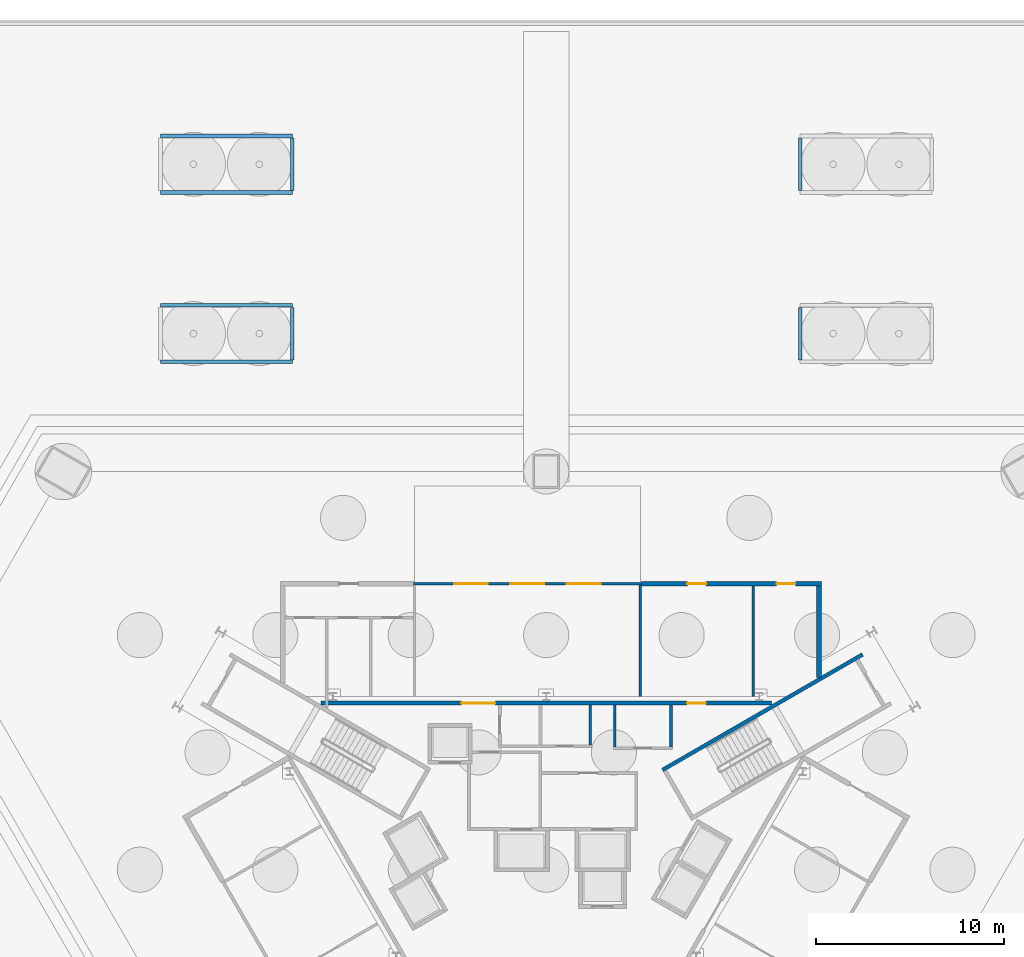
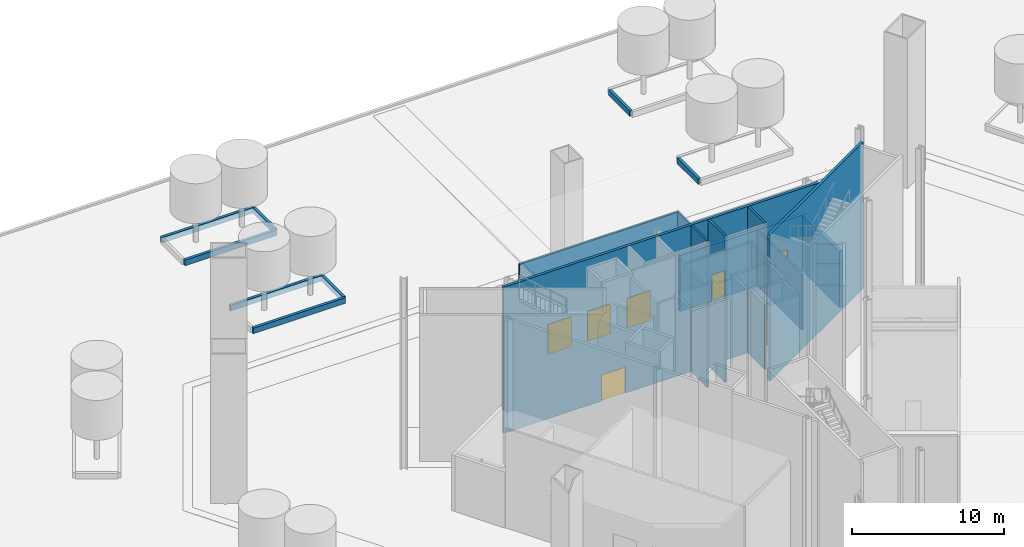
# One storey, part 10 of 22: 18 walls, 7 doors, 7 openings.
"""IFC4 building model written with IfcOpenShell, lengths in metres."""

import ifcopenshell
import ifcopenshell.guid

model = None  # the IFC model being written
_history = None  # IfcOwnerHistory: only IFC2X3 demands one
_inside = {}  # id of a spatial element -> (the spatial element, [elements in it])
_under = {}  # id of a project, library or spatial element -> (it, [spatial elements below it])
_declared = {}  # id of a project -> (the project, [libraries it declares])
_typed = {}  # id of a type object -> (the type object, [elements of that type])
_made_of = {}  # id of a material, layer set ... -> (it, [elements and type objects made of it])


def new_model(schema):
    """Start an empty IFC model of exactly this schema.

    Asked for "IFC4X3", IfcOpenShell would pick the latest addendum, in which some entities
    have other attributes; the version numbers below select the first issue.
    IFC2X3 requires an IfcOwnerHistory on every rooted entity: one is made here for all.
    """
    global model, _history
    if schema == "IFC4X3":
        model = ifcopenshell.file(schema_version=(4, 3, 0, 0))
    else:
        model = ifcopenshell.file(schema=schema)
    _inside.clear()
    _under.clear()
    _declared.clear()
    _typed.clear()
    _made_of.clear()
    _history = None
    if model.schema == "IFC2X3":
        org = make("IfcOrganization", Name="unknown")
        user = make(
            "IfcPersonAndOrganization",
            ThePerson=make("IfcPerson", FamilyName="unknown"),
            TheOrganization=org,
        )
        app = make(
            "IfcApplication",
            ApplicationDeveloper=org,
            Version="unknown",
            ApplicationFullName="unknown",
            ApplicationIdentifier="unknown",
        )
        _history = make(
            "IfcOwnerHistory",
            OwningUser=user,
            OwningApplication=app,
            ChangeAction="ADDED",
            CreationDate=0,
        )
    return model


def make(cls, **values):
    """One entity of the class cls with the attributes given. An attribute that is None is left unset."""
    return model.create_entity(
        cls, **{name: value for name, value in values.items() if value is not None}
    )


def rooted(cls, **values):
    """An entity with a GlobalId (a new one), such as an element, a storey or a relation."""
    return make(cls, GlobalId=ifcopenshell.guid.new(), OwnerHistory=_history, **values)


def si_unit(unit_type, name, prefix=None):
    """IfcSIUnit, for example si_unit("LENGTHUNIT", "METRE", prefix="MILLI")."""
    return make("IfcSIUnit", UnitType=unit_type, Prefix=prefix, Name=name)


def assignment(units):
    """IfcUnitAssignment: the units of a project."""
    return None if units is None else make("IfcUnitAssignment", Units=units)


def point(xyz):
    """IfcCartesianPoint."""
    return None if xyz is None else make("IfcCartesianPoint", Coordinates=xyz)


def direction(xyz):
    """IfcDirection."""
    return None if xyz is None else make("IfcDirection", DirectionRatios=xyz)


def frame(location, z_axis=None, x_axis=None):
    """IfcAxis2Placement3D, a coordinate frame: its origin and axes. An axis left out is left unset."""
    return make(
        "IfcAxis2Placement3D",
        Location=point(location),
        Axis=direction(z_axis),
        RefDirection=direction(x_axis),
    )


def frame_2d(location, x_axis=None):
    """IfcAxis2Placement2D, a coordinate frame in the plane: its origin and x axis."""
    return make(
        "IfcAxis2Placement2D", Location=point(location), RefDirection=direction(x_axis)
    )


def origin():
    """The frame at (0, 0, 0) with its axes left unset."""
    return frame((0.0, 0.0, 0.0))


def place(relative_to, where):
    """IfcLocalPlacement: puts the frame where relative to a parent placement (None: the world)."""
    return make(
        "IfcLocalPlacement", PlacementRelTo=relative_to, RelativePlacement=where
    )


def context(
    kind, dimensions, precision=None, world=None, true_north=None, identifier=None
):
    """IfcGeometricRepresentationContext, for example the 3D "Model" context."""
    return make(
        "IfcGeometricRepresentationContext",
        ContextIdentifier=identifier,
        ContextType=kind,
        CoordinateSpaceDimension=dimensions,
        Precision=precision,
        WorldCoordinateSystem=world,
        TrueNorth=true_north,
    )


def subcontext(parent, identifier, kind, view, scale=None):
    """IfcGeometricRepresentationSubContext, for example "Body" below "Model"."""
    return make(
        "IfcGeometricRepresentationSubContext",
        ContextIdentifier=identifier,
        ContextType=kind,
        ParentContext=parent,
        TargetScale=scale,
        TargetView=view,
    )


def project(units=None, contexts=None):
    """IfcProject with its units and contexts."""
    return rooted(
        "IfcProject",
        Name="project",
        RepresentationContexts=contexts,
        UnitsInContext=assignment(units),
    )


def spatial(cls, under=None, at=None, **own):
    """A site, building, storey or space (cls), placed at a placement, below another one or the project."""
    s = rooted(cls, ObjectPlacement=at, **own)
    if under is not None:
        _under.setdefault(under.id(), (under, []))[1].append(s)
    return s


def profile(cls, at=None, kind="AREA", **sizes):
    """A parametric profile (cls). Its sizes go by their IFC names, for example OverallWidth=200.0."""
    return make(cls, ProfileType=kind, Position=at, **sizes)


def rectangle(**sizes):
    """IfcRectangleProfileDef."""
    return profile("IfcRectangleProfileDef", **sizes)


def extrude(swept, where, along, depth):
    """IfcExtrudedAreaSolid: the profile swept, set in the frame where, extruded along a direction by depth."""
    return make(
        "IfcExtrudedAreaSolid",
        SweptArea=swept,
        Position=where,
        ExtrudedDirection=direction(along),
        Depth=depth,
    )


def shape(context_of_items, identifier, shape_type, items):
    """IfcShapeRepresentation: the items that make up one representation, for example the "Body"."""
    return make(
        "IfcShapeRepresentation",
        ContextOfItems=context_of_items,
        RepresentationIdentifier=identifier,
        RepresentationType=shape_type,
        Items=items,
    )


def material(Name=None, Category=None):
    """IfcMaterial."""
    return make("IfcMaterial", Name=Name, Category=Category)


def layer(
    of_material, thickness, ventilated=None, Name=None, Category=None, Priority=None
):
    """IfcMaterialLayer: one layer of a wall or slab, of a material (None: an air gap)."""
    return make(
        "IfcMaterialLayer",
        Material=of_material,
        LayerThickness=thickness,
        IsVentilated=ventilated,
        Name=Name,
        Category=Category,
        Priority=Priority,
    )


def layer_set(layers, Name=None):
    """IfcMaterialLayerSet."""
    return make("IfcMaterialLayerSet", MaterialLayers=layers, LayerSetName=Name)


def made_of(thing, what):
    """Note that an element or type object is made of a material, layer set ...; save() writes the relation."""
    if what is not None:
        _made_of.setdefault(what.id(), (what, []))[1].append(thing)
    return thing


def type_object(cls, material=None, **own):
    """A type object (cls), such as IfcWallType, which elements share."""
    return made_of(rooted(cls, **own), material)


def element(
    cls,
    number,
    at=None,
    inside=None,
    cuts=None,
    type_object=None,
    material=None,
    context=None,
    identifier="Body",
    shape_type=None,
    held_by="IfcProductDefinitionShape",
    body=None,
    shapes=None,
    **own,
):
    """One element of the class cls, such as IfcWall. Its Tag is "e" and its number.

    at: its placement. inside: the storey or other place that contains it. cuts: it is an
    opening in that element (IfcRelVoidsElement). A single representation is given by context,
    identifier, shape_type and body (its items); several are given by shapes. held_by: the class
    of the entity that holds the representations. save() writes the other relations.
    """
    e = rooted(cls, Tag="e%d" % number, ObjectPlacement=at, **own)
    if body is not None:
        shapes = [shape(context, identifier, shape_type, body)]
    if shapes is not None:
        e.Representation = make(held_by, Representations=shapes)
    if inside is not None:
        _inside.setdefault(inside.id(), (inside, []))[1].append(e)
    if cuts is not None:
        rooted(
            "IfcRelVoidsElement", RelatingBuildingElement=cuts, RelatedOpeningElement=e
        )
    if type_object is not None:
        _typed.setdefault(type_object.id(), (type_object, []))[1].append(e)
    return made_of(e, material)


def fill(opening, filler):
    """IfcRelFillsElement: the door or window that sits in an opening."""
    return rooted(
        "IfcRelFillsElement",
        RelatingOpeningElement=opening,
        RelatedBuildingElement=filler,
    )


def aggregate(whole, parts):
    """IfcRelAggregates: a whole, such as a stair, and the parts it consists of."""
    return rooted("IfcRelAggregates", RelatingObject=whole, RelatedObjects=parts)


def save(model, path):
    """Write the relations noted so far, then the file.

    IfcRelAggregates (storeys below a building ...), IfcRelContainedInSpatialStructure (elements
    in a storey), IfcRelDefinesByType, IfcRelAssociatesMaterial and IfcRelDeclares: one each for
    every whole, place, type object, material and project.
    """
    for whole, parts in _under.values():
        aggregate(whole, parts)
    for where, things in _inside.values():
        rooted(
            "IfcRelContainedInSpatialStructure",
            RelatedElements=things,
            RelatingStructure=where,
        )
    for kind, things in _typed.values():
        rooted("IfcRelDefinesByType", RelatedObjects=things, RelatingType=kind)
    for what, things in _made_of.values():
        rooted("IfcRelAssociatesMaterial", RelatedObjects=things, RelatingMaterial=what)
    for by, libraries in _declared.values():
        rooted("IfcRelDeclares", RelatingContext=by, RelatedDefinitions=libraries)
    model.write(path)


model = new_model("IFC4")

# Units and contexts
model_context = context("Model", 3, precision=1e-05, world=origin(), true_north=direction((0.0, 1.0)))
body_context = subcontext(model_context, "Body", "Model", "MODEL_VIEW")
ifc_project = project(units=[si_unit("LENGTHUNIT", "METRE"), si_unit("AREAUNIT", "SQUARE_METRE"), si_unit("VOLUMEUNIT", "CUBIC_METRE"), si_unit("PLANEANGLEUNIT", "RADIAN"), si_unit("MASSUNIT", "GRAM", prefix="KILO")], contexts=[model_context])

# Site, building, storey
site_placement = place(None, origin())
site = spatial("IfcSite", under=ifc_project, at=site_placement, CompositionType="ELEMENT")
building_placement = place(site_placement, origin())
building = spatial("IfcBuilding", under=site, at=building_placement, Name="Verrane Prism Tower", CompositionType="ELEMENT")
storey_placement = place(building_placement, origin())
storey = spatial("IfcBuildingStorey", under=building, at=storey_placement, Name="L00", CompositionType="ELEMENT", Elevation=0.0)

# Walls
ifc_material_1 = material(Name="Concrete C25/30", Category="concrete")
ifc_layer_1 = layer(ifc_material_1, 0.125)
ifc_layer_set_1 = layer_set([ifc_layer_1], Name="CB-125 concrete block demising wall 3 h")
wall_type_1 = type_object("IfcWallType", Name="CB-125 concrete block demising wall 3 h", PredefinedType="SOLIDWALL", material=ifc_layer_set_1)
wall_1_placement = place(storey_placement, frame((5.0, 9.199951171875, 0.0), z_axis=(0.0, 0.0, 1.0), x_axis=(0.0, 1.0, 0.0)))
element("IfcWall", 1, at=wall_1_placement, inside=storey, type_object=wall_type_1, Name="Demising wall 030", PredefinedType="SOLIDWALL", context=body_context, shape_type="SweptSolid", body=[
    extrude(rectangle(XDim=5.925048828125, YDim=0.125, at=frame_2d((2.96240234375, 0.0))), origin(), (0.0, 0.0, 1.0), 8.0),
])
wall_2_placement = place(storey_placement, frame((11.0, 9.199951171875, 0.0), z_axis=(0.0, 0.0, 1.0), x_axis=(0.0, 1.0, 0.0)))
element("IfcWall", 2, at=wall_2_placement, inside=storey, type_object=wall_type_1, Name="Demising wall 039", PredefinedType="SOLIDWALL", context=body_context, shape_type="SweptSolid", body=[
    extrude(rectangle(XDim=5.875, YDim=0.125, at=frame_2d((2.9375, 0.0))), origin(), (0.0, 0.0, 1.0), 4.5),
])

# Wall, openings, doors
ifc_material_2 = material(Name="Gypsum board partition", Category="other")
ifc_layer_2 = layer(ifc_material_2, 0.199951171875)
ifc_layer_set_2 = layer_set([ifc_layer_2], Name="CW-200 core boundary wall 2 h")
wall_type_2 = type_object("IfcWallType", Name="CW-200 core boundary wall 2 h", PredefinedType="PARTITIONING", material=ifc_layer_set_2)
wall_3_placement = place(storey_placement, frame((11.986083984375, 8.860107421875, 0.0), z_axis=(0.0, 0.0, 1.0), x_axis=(-1.0, 0.0, 0.0)))
wall_3 = element("IfcWall", 3, at=wall_3_placement, inside=storey, type_object=wall_type_2, Name="Core boundary wall CW3-002", PredefinedType="PARTITIONING", context=body_context, shape_type="SweptSolid", body=[
    extrude(rectangle(XDim=23.967041015625, YDim=0.199951171875, at=frame_2d((11.9833984375, 0.0))), origin(), (0.0, 0.0, 1.0), 11.75),
])
opening_1_placement = place(wall_3_placement, frame((3.49609375, 0.0, 0.0)))
opening_1 = element("IfcOpeningElement", 4, at=opening_1_placement, cuts=wall_3, Name="Opening D00512", PredefinedType="OPENING", context=body_context, shape_type="SweptSolid", body=[
    extrude(rectangle(XDim=1.0, YDim=2.10009765625, at=frame_2d((0.5, 1.050048828125))), frame((0.0, 0.10986328125, 0.0), z_axis=(0.0, -1.0, 0.0), x_axis=(1.0, 0.0, 0.0)), (0.0, 0.0, 1.0), 0.219970703125),
])
opening_2_placement = place(wall_3_placement, frame((14.696044921875, 0.0, 0.0)))
opening_2 = element("IfcOpeningElement", 5, at=opening_2_placement, cuts=wall_3, Name="Opening D00513", PredefinedType="OPENING", context=body_context, shape_type="SweptSolid", body=[
    extrude(rectangle(XDim=1.800048828125, YDim=2.10009765625, at=frame_2d((0.89990234375, 1.050048828125))), frame((0.0, 0.10986328125, 0.0), z_axis=(0.0, -1.0, 0.0), x_axis=(1.0, 0.0, 0.0)), (0.0, 0.0, 1.0), 0.219970703125),
])
ifc_material_3 = material(Name="Timber veneered door leaf", Category="wood")
door_type_1 = type_object("IfcDoorType", Name="DR-1000x2100 FD60 single leaf firefighting lobby", OperationType="NOTDEFINED", PredefinedType="DOOR", material=ifc_material_3)
door_1_placement = place(opening_1_placement, origin())
door_1 = element("IfcDoor", 6, at=door_1_placement, inside=storey, type_object=door_type_1, Name="Fire command room door D00512", OperationType="SINGLE_SWING_RIGHT", OverallHeight=2.10009765625, OverallWidth=1.0, PredefinedType="DOOR", context=body_context, shape_type="SweptSolid", body=[
    extrude(rectangle(XDim=1.0, YDim=2.10009765625, at=frame_2d((0.5, 1.050048828125))), frame((0.0, 0.02490234375, 0.0), z_axis=(0.0, -1.0, 0.0), x_axis=(1.0, 0.0, 0.0)), (0.0, 0.0, 1.0), 0.050048828125),
])
fill(opening_1, door_1)
ifc_material_4 = material(Name="Timber veneered door leaf", Category="wood")
door_type_2 = type_object("IfcDoorType", Name="DR-1800x2100 FD60 double leaf lift lobby", OperationType="NOTDEFINED", PredefinedType="DOOR", material=ifc_material_4)
door_2_placement = place(opening_2_placement, origin())
door_2 = element("IfcDoor", 7, at=door_2_placement, inside=storey, type_object=door_type_2, Name="Lift lobby door D00513", OperationType="DOUBLE_DOOR_SINGLE_SWING", OverallHeight=2.10009765625, OverallWidth=1.800048828125, PredefinedType="DOOR", context=body_context, shape_type="SweptSolid", body=[
    extrude(rectangle(XDim=1.800048828125, YDim=2.10009765625, at=frame_2d((0.89990234375, 1.050048828125))), frame((0.0, 0.02490234375, 0.0), z_axis=(0.0, -1.0, 0.0), x_axis=(1.0, 0.0, 0.0)), (0.0, 0.0, 1.0), 0.050048828125),
])
fill(opening_2, door_2)

# Wall
ifc_material_5 = material(Name="Concrete C40/50", Category="concrete")
ifc_layer_3 = layer(ifc_material_5, 0.199951171875)
ifc_layer_set_3 = layer_set([ifc_layer_3], Name="CW-200 stair core wall concrete C40/50 3 h")
wall_type_3 = type_object("IfcWallType", Name="CW-200 stair core wall concrete C40/50 3 h", PredefinedType="PARTITIONING", material=ifc_layer_set_3)
wall_4_placement = place(storey_placement, frame((6.17822265625, 5.299072265625, 0.0), z_axis=(0.0, 0.0, 1.0), x_axis=(0.866028655551, 0.499994367733, 0.0)))
element("IfcWall", 8, at=wall_4_placement, inside=storey, type_object=wall_type_3, Name="Stair 1 enclosure wall", PredefinedType="PARTITIONING", context=body_context, shape_type="SweptSolid", body=[
    extrude(rectangle(XDim=12.280029296875, YDim=0.199951171875, at=frame_2d((6.14013671875, 0.0))), origin(), (0.0, 0.0, 1.0), 11.75),
])

# Wall, openings, doors
ifc_material_6 = material(Name="Concrete C30/37", Category="concrete")
ifc_layer_4 = layer(ifc_material_6, 0.25)
ifc_layer_set_4 = layer_set([ifc_layer_4], Name="EW-250 service enclosure wall")
wall_type_4 = type_object("IfcWallType", Name="EW-250 service enclosure wall", PredefinedType="SOLIDWALL", material=ifc_layer_set_4)
wall_5_placement = place(storey_placement, frame((14.625, 15.199951171875, 0.0), z_axis=(0.0, 0.0, 1.0), x_axis=(-1.0, 0.0, 0.0)))
wall_5 = element("IfcWall", 9, at=wall_5_placement, inside=storey, type_object=wall_type_4, Name="Service room wall 031", PredefinedType="SOLIDWALL", context=body_context, shape_type="SweptSolid", body=[
    extrude(rectangle(XDim=9.5625, YDim=0.25, at=frame_2d((4.78125, 0.0))), origin(), (0.0, 0.0, 1.0), 4.5),
])
opening_3_placement = place(wall_5_placement, frame((6.125, 0.0, 0.0)))
opening_3 = element("IfcOpeningElement", 10, at=opening_3_placement, cuts=wall_5, Name="Opening D00008", PredefinedType="OPENING", context=body_context, shape_type="SweptSolid", body=[
    extrude(rectangle(XDim=1.0, YDim=2.10009765625, at=frame_2d((0.5, 1.050048828125))), frame((0.0, 0.135009765625, 0.0), z_axis=(0.0, -1.0, 0.0), x_axis=(1.0, 0.0, 0.0)), (0.0, 0.0, 1.0), 0.27001953125),
])
opening_4_placement = place(wall_5_placement, frame((1.375, 0.0, 0.0)))
opening_4 = element("IfcOpeningElement", 11, at=opening_4_placement, cuts=wall_5, Name="Opening D00009", PredefinedType="OPENING", context=body_context, shape_type="SweptSolid", body=[
    extrude(rectangle(XDim=1.0, YDim=2.10009765625, at=frame_2d((0.5, 1.050048828125))), frame((0.0, 0.135009765625, 0.0), z_axis=(0.0, -1.0, 0.0), x_axis=(1.0, 0.0, 0.0)), (0.0, 0.0, 1.0), 0.27001953125),
])
ifc_material_7 = material(Name="Aluminium and glass door leaf", Category="aluminium")
door_type_3 = type_object("IfcDoorType", Name="DR-1000x2100 single leaf exit", OperationType="NOTDEFINED", PredefinedType="DOOR", material=ifc_material_7)
door_3_placement = place(opening_3_placement, frame((1.0, 0.0, 0.0), z_axis=(0.0, 0.0, 1.0), x_axis=(-1.0, 0.0, 0.0)))
door_3 = element("IfcDoor", 12, at=door_3_placement, inside=storey, type_object=door_type_3, Name="Exit door Fire Command Room", OperationType="SINGLE_SWING_LEFT", OverallHeight=2.10009765625, OverallWidth=1.0, PredefinedType="DOOR", context=body_context, shape_type="SweptSolid", body=[
    extrude(rectangle(XDim=1.0, YDim=2.10009765625, at=frame_2d((0.5, 1.050048828125))), frame((0.0, 0.02490234375, 0.0), z_axis=(0.0, -1.0, 0.0), x_axis=(1.0, 0.0, 0.0)), (0.0, 0.0, 1.0), 0.050048828125),
])
fill(opening_3, door_3)
door_4_placement = place(opening_4_placement, frame((1.0, 0.0, 0.0), z_axis=(0.0, 0.0, 1.0), x_axis=(-1.0, 0.0, 0.0)))
door_4 = element("IfcDoor", 13, at=door_4_placement, inside=storey, type_object=door_type_3, Name="Exit door Security Office", OperationType="SINGLE_SWING_RIGHT", OverallHeight=2.10009765625, OverallWidth=1.0, PredefinedType="DOOR", context=body_context, shape_type="SweptSolid", body=[
    extrude(rectangle(XDim=1.0, YDim=2.10009765625, at=frame_2d((0.5, 1.050048828125))), frame((0.0, 0.02490234375, 0.0), z_axis=(0.0, -1.0, 0.0), x_axis=(1.0, 0.0, 0.0)), (0.0, 0.0, 1.0), 0.050048828125),
])
fill(opening_4, door_4)

# Walls
wall_6_placement = place(storey_placement, frame((14.5, 10.218994140625, 0.0), z_axis=(0.0, 0.0, 1.0), x_axis=(0.0, 1.0, 0.0)))
element("IfcWall", 14, at=wall_6_placement, inside=storey, type_object=wall_type_4, Name="Service room wall 042", PredefinedType="SOLIDWALL", context=body_context, shape_type="SweptSolid", body=[
    extrude(rectangle(XDim=4.85595703125, YDim=0.25, at=frame_2d((2.427978515625, 0.0))), origin(), (0.0, 0.0, 1.0), 4.5),
])
ifc_material_8 = material(Name="Granite kerb on concrete C25/30", Category="masonry")
ifc_layer_5 = layer(ifc_material_8, 0.199951171875)
ifc_layer_set_5 = layer_set([ifc_layer_5], Name="KB-200 granite kerb")
wall_type_5 = type_object("IfcWallType", Name="KB-200 granite kerb", PredefinedType="SOLIDWALL", material=ifc_layer_set_5)
wall_7_placement = place(storey_placement, frame((13.5, 27.10009765625, 0.0), z_axis=(0.0, 0.0, 1.0), x_axis=(0.0, 1.0, 0.0)))
element("IfcWall", 15, at=wall_7_placement, inside=storey, type_object=wall_type_5, Name="Bed kerb 1.3", PredefinedType="SOLIDWALL", context=body_context, shape_type="SweptSolid", body=[
    extrude(rectangle(XDim=2.7998046875, YDim=0.199951171875, at=frame_2d((1.39990234375, 0.0))), origin(), (0.0, 0.0, 1.0), 0.449951171875),
])
for number, where, z_axis, x_axis, name in (
    (16, (-13.5, 27.0, 0.0), (0.0, 0.0, 1.0), (-1.0, 0.0, 0.0), "Bed kerb 2.1"),
    (17, (-20.5, 30.0, 0.0), (0.0, 0.0, 1.0), (1.0, 0.0, 0.0), "Bed kerb 2.2"),
):
    element("IfcWall", number, at=place(storey_placement, frame(where, z_axis=z_axis, x_axis=x_axis)), inside=storey, type_object=wall_type_5, Name=name, PredefinedType="SOLIDWALL", context=body_context, shape_type="SweptSolid", body=[
        extrude(rectangle(XDim=7.0, YDim=0.199951171875, at=frame_2d((3.5, 0.0))), origin(), (0.0, 0.0, 1.0), 0.449951171875),
    ])
for number, where, z_axis, x_axis, name in (
    (18, (-13.5, 29.89990234375, 0.0), (0.0, 0.0, 1.0), (0.0, -1.0, 0.0), "Bed kerb 2.4"),
    (19, (13.5, 36.10009765625, 0.0), (0.0, 0.0, 1.0), (0.0, 1.0, 0.0), "Bed kerb 3.3"),
):
    element("IfcWall", number, at=place(storey_placement, frame(where, z_axis=z_axis, x_axis=x_axis)), inside=storey, type_object=wall_type_5, Name=name, PredefinedType="SOLIDWALL", context=body_context, shape_type="SweptSolid", body=[
        extrude(rectangle(XDim=2.7998046875, YDim=0.199951171875, at=frame_2d((1.39990234375, 0.0))), origin(), (0.0, 0.0, 1.0), 0.449951171875),
    ])
for number, where, z_axis, x_axis, name in (
    (20, (-13.5, 36.0, 0.0), (0.0, 0.0, 1.0), (-1.0, 0.0, 0.0), "Bed kerb 4.1"),
    (21, (-20.5, 39.0, 0.0), (0.0, 0.0, 1.0), (1.0, 0.0, 0.0), "Bed kerb 4.2"),
):
    element("IfcWall", number, at=place(storey_placement, frame(where, z_axis=z_axis, x_axis=x_axis)), inside=storey, type_object=wall_type_5, Name=name, PredefinedType="SOLIDWALL", context=body_context, shape_type="SweptSolid", body=[
        extrude(rectangle(XDim=7.0, YDim=0.199951171875, at=frame_2d((3.5, 0.0))), origin(), (0.0, 0.0, 1.0), 0.449951171875),
    ])
wall_8_placement = place(storey_placement, frame((-13.5, 38.89990234375, 0.0), z_axis=(0.0, 0.0, 1.0), x_axis=(0.0, -1.0, 0.0)))
element("IfcWall", 22, at=wall_8_placement, inside=storey, type_object=wall_type_5, Name="Bed kerb 4.4", PredefinedType="SOLIDWALL", context=body_context, shape_type="SweptSolid", body=[
    extrude(rectangle(XDim=2.7998046875, YDim=0.199951171875, at=frame_2d((1.39990234375, 0.0))), origin(), (0.0, 0.0, 1.0), 0.449951171875),
])
ifc_material_9 = material(Name="Gypsum board partition", Category="other")
ifc_layer_6 = layer(ifc_material_9, 0.14990234375)
ifc_layer_set_6 = layer_set([ifc_layer_6], Name="RS-150 riser enclosure wall 1 h")
wall_type_6 = type_object("IfcWallType", Name="RS-150 riser enclosure wall 1 h", PredefinedType="PARTITIONING", material=ifc_layer_set_6)
wall_9_placement = place(storey_placement, frame((2.340087890625, 6.635009765625, 0.0), z_axis=(0.0, 0.0, 1.0), x_axis=(0.0, 1.0, 0.0)))
element("IfcWall", 23, at=wall_9_placement, inside=storey, type_object=wall_type_6, Name="Riser wall RS3-004", PredefinedType="PARTITIONING", context=body_context, shape_type="SweptSolid", body=[
    extrude(rectangle(XDim=2.125, YDim=0.14990234375, at=frame_2d((1.0625, 0.0))), origin(), (0.0, 0.0, 1.0), 11.75),
])
for number, where, z_axis, x_axis, name in (
    (24, (3.639892578125, 6.534912109375, 0.0), (0.0, 0.0, 1.0), (0.0, 1.0, 0.0), "Riser wall RS3-005"),
    (25, (6.639892578125, 6.534912109375, 0.0), (0.0, 0.0, 1.0), (0.0, 1.0, 0.0), "Riser wall RS3-007"),
):
    element("IfcWall", number, at=place(storey_placement, frame(where, z_axis=z_axis, x_axis=x_axis)), inside=storey, type_object=wall_type_6, Name=name, PredefinedType="PARTITIONING", context=body_context, shape_type="SweptSolid", body=[
        extrude(rectangle(XDim=2.22509765625, YDim=0.14990234375, at=frame_2d((1.112548828125, 0.0))), origin(), (0.0, 0.0, 1.0), 11.75),
    ])

# Wall, openings, doors
ifc_material_10 = material(Name="Aluminium storefront glazing", Category="aluminium")
ifc_layer_7 = layer(ifc_material_10, 0.14990234375)
ifc_layer_set_7 = layer_set([ifc_layer_7], Name="SF-150 glazed storefront wall")
wall_type_7 = type_object("IfcWallType", Name="SF-150 glazed storefront wall", PredefinedType="SOLIDWALL", material=ifc_layer_set_7)
wall_10_placement = place(storey_placement, frame((5.0625, 15.199951171875, 0.0), z_axis=(0.0, 0.0, 1.0), x_axis=(-1.0, 0.0, 0.0)))
wall_10 = element("IfcWall", 26, at=wall_10_placement, inside=storey, type_object=wall_type_7, Name="Storefront wall 020", PredefinedType="SOLIDWALL", context=body_context, shape_type="SweptSolid", body=[
    extrude(rectangle(XDim=12.125, YDim=0.14990234375, at=frame_2d((6.0625, 0.0))), origin(), (0.0, 0.0, 1.0), 8.0),
])
opening_5_placement = place(wall_10_placement, frame((8.16259765625, 0.0, 0.0)))
opening_5 = element("IfcOpeningElement", 27, at=opening_5_placement, cuts=wall_10, Name="Opening D00005", PredefinedType="OPENING", context=body_context, shape_type="SweptSolid", body=[
    extrude(rectangle(XDim=1.800048828125, YDim=2.39990234375, at=frame_2d((0.89990234375, 1.199951171875))), frame((0.0, 0.0849609375, 0.0), z_axis=(0.0, -1.0, 0.0), x_axis=(1.0, 0.0, 0.0)), (0.0, 0.0, 1.0), 0.169921875),
])
opening_6_placement = place(wall_10_placement, frame((5.16259765625, 0.0, 0.0)))
opening_6 = element("IfcOpeningElement", 28, at=opening_6_placement, cuts=wall_10, Name="Opening D00006", PredefinedType="OPENING", context=body_context, shape_type="SweptSolid", body=[
    extrude(rectangle(XDim=1.800048828125, YDim=2.39990234375, at=frame_2d((0.89990234375, 1.199951171875))), frame((0.0, 0.0849609375, 0.0), z_axis=(0.0, -1.0, 0.0), x_axis=(1.0, 0.0, 0.0)), (0.0, 0.0, 1.0), 0.169921875),
])
opening_7_placement = place(wall_10_placement, frame((2.16259765625, 0.0, 0.0)))
opening_7 = element("IfcOpeningElement", 29, at=opening_7_placement, cuts=wall_10, Name="Opening D00007", PredefinedType="OPENING", context=body_context, shape_type="SweptSolid", body=[
    extrude(rectangle(XDim=1.800048828125, YDim=2.39990234375, at=frame_2d((0.89990234375, 1.199951171875))), frame((0.0, 0.0849609375, 0.0), z_axis=(0.0, -1.0, 0.0), x_axis=(1.0, 0.0, 0.0)), (0.0, 0.0, 1.0), 0.169921875),
])
ifc_material_11 = material(Name="Aluminium and glass door leaf", Category="aluminium")
door_type_4 = type_object("IfcDoorType", Name="DR-1800x2400 double leaf entrance", OperationType="NOTDEFINED", PredefinedType="DOOR", material=ifc_material_11)
door_5_placement = place(opening_5_placement, frame((1.800048828125, 0.0, 0.0), z_axis=(0.0, 0.0, 1.0), x_axis=(-1.0, 0.0, 0.0)))
door_5 = element("IfcDoor", 30, at=door_5_placement, inside=storey, type_object=door_type_4, Name="Exit door Retail Entrance Lobby", OperationType="DOUBLE_DOOR_SINGLE_SWING", OverallHeight=2.39990234375, OverallWidth=1.800048828125, PredefinedType="DOOR", context=body_context, shape_type="SweptSolid", body=[
    extrude(rectangle(XDim=1.800048828125, YDim=2.39990234375, at=frame_2d((0.89990234375, 1.199951171875))), frame((0.0, 0.02490234375, 0.0), z_axis=(0.0, -1.0, 0.0), x_axis=(1.0, 0.0, 0.0)), (0.0, 0.0, 1.0), 0.050048828125),
])
fill(opening_5, door_5)
door_6_placement = place(opening_6_placement, frame((1.800048828125, 0.0, 0.0), z_axis=(0.0, 0.0, 1.0), x_axis=(-1.0, 0.0, 0.0)))
door_6 = element("IfcDoor", 31, at=door_6_placement, inside=storey, type_object=door_type_4, Name="Exit door Retail Entrance Lobby", OperationType="DOUBLE_DOOR_SINGLE_SWING", OverallHeight=2.39990234375, OverallWidth=1.800048828125, PredefinedType="DOOR", context=body_context, shape_type="SweptSolid", body=[
    extrude(rectangle(XDim=1.800048828125, YDim=2.39990234375, at=frame_2d((0.89990234375, 1.199951171875))), frame((0.0, 0.02490234375, 0.0), z_axis=(0.0, -1.0, 0.0), x_axis=(1.0, 0.0, 0.0)), (0.0, 0.0, 1.0), 0.050048828125),
])
fill(opening_6, door_6)
door_7_placement = place(opening_7_placement, frame((1.800048828125, 0.0, 0.0), z_axis=(0.0, 0.0, 1.0), x_axis=(-1.0, 0.0, 0.0)))
door_7 = element("IfcDoor", 32, at=door_7_placement, inside=storey, type_object=door_type_4, Name="Exit door Retail Entrance Lobby", OperationType="DOUBLE_DOOR_SINGLE_SWING", OverallHeight=2.39990234375, OverallWidth=1.800048828125, PredefinedType="DOOR", context=body_context, shape_type="SweptSolid", body=[
    extrude(rectangle(XDim=1.800048828125, YDim=2.39990234375, at=frame_2d((0.89990234375, 1.199951171875))), frame((0.0, 0.02490234375, 0.0), z_axis=(0.0, -1.0, 0.0), x_axis=(1.0, 0.0, 0.0)), (0.0, 0.0, 1.0), 0.050048828125),
])
fill(opening_7, door_7)

save(model, "model.ifc")
